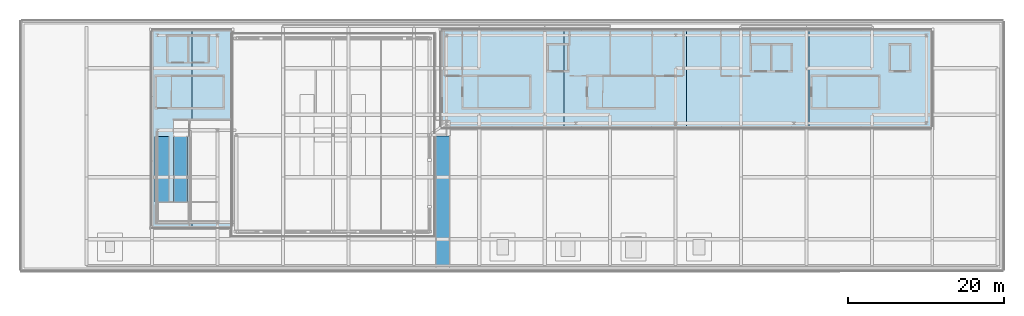
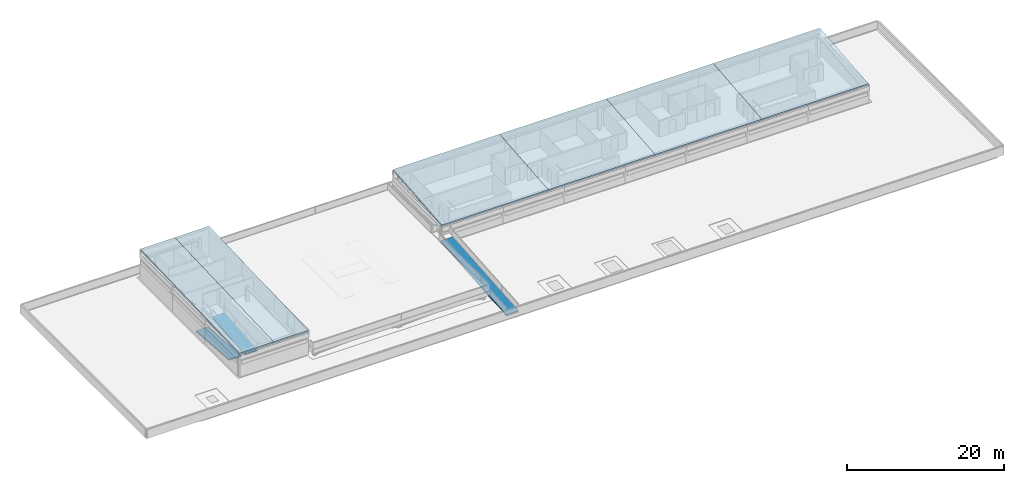
# One storey, part 11 of 14: 6 roofs, 3 ramp flights, 3 elements without a shape of their own.
"""IFC4 building model written with IfcOpenShell, lengths in metres."""

from ifc_helpers import new_model, si_unit, direction, frame, origin, place, context, subcontext, project, spatial, polyline, outline, extrude, material, layer, layer_set, type_object, element, aggregate, save


model = new_model("IFC4")

# Units and contexts
model_context = context("Model", 3, precision=1e-05, world=origin(), true_north=direction((0.0, 1.0)))
body_context = subcontext(model_context, "Body", "Model", "MODEL_VIEW")
ifc_project = project(units=[si_unit("LENGTHUNIT", "METRE"), si_unit("AREAUNIT", "SQUARE_METRE"), si_unit("VOLUMEUNIT", "CUBIC_METRE"), si_unit("PLANEANGLEUNIT", "RADIAN"), si_unit("MASSUNIT", "GRAM", prefix="KILO")], contexts=[model_context])

# Site, building, storey
site_placement = place(None, origin())
site = spatial("IfcSite", under=ifc_project, at=site_placement, CompositionType="ELEMENT")
building_placement = place(site_placement, origin())
building = spatial("IfcBuilding", under=site, at=building_placement, Name="Selatvlak General Hospital", CompositionType="ELEMENT")
storey_placement = place(building_placement, frame((0.0, 0.0, 39.449951171875)))
storey = spatial("IfcBuildingStorey", under=building, at=storey_placement, Name="RF", CompositionType="ELEMENT", Elevation=39.449951171875)

# Ramp, ramp flight
ifc_material_1 = material(Name="Concrete C40/50", Category="concrete")
ramp_type = type_object("IfcRampType", Name="RAMP-ACC", PredefinedType="STRAIGHT_RUN_RAMP", material=ifc_material_1)
ramp_1_placement = place(storey_placement, origin())
ramp_1 = element("IfcRamp", 1, at=ramp_1_placement, inside=storey, type_object=ramp_type, Name="Accessible step-free ramp RMP-HLP-W1", PredefinedType="STRAIGHT_RUN_RAMP")
ifc_layer_1 = layer(ifc_material_1, 0.219970703125, Name="Concrete C40/50", Category="concrete")
ifc_layer_set_1 = layer_set([ifc_layer_1], Name="Concrete C40/50")
ramp_flight_type = type_object("IfcRampFlightType", Name="RFL-ACC", PredefinedType="STRAIGHT", material=ifc_layer_set_1)
ramp_flight_1_placement = place(storey_placement, frame((49.300048828125, 105.199951171875, 0.050048828125), z_axis=(0.0, 0.0, 1.0), x_axis=(0.0, -1.0, 0.0)))
ramp_flight_1 = element("IfcRampFlight", 2, at=ramp_flight_1_placement, type_object=ramp_flight_type, Name="Accessible step-free ramp flight RMP-HLP-W1", PredefinedType="STRAIGHT", context=body_context, shape_type="SweptSolid", body=[
    extrude(outline(polyline([(0.0, -0.219970703125), (8.39990234375, 0.429931640625), (8.39990234375, 0.64990234375), (0.0, 0.0), (0.0, -0.219970703125)])), frame((0.0, 0.89990234375, 0.0), z_axis=(0.0, -1.0, 0.0), x_axis=(1.0, 0.0, 0.0)), (0.0, 0.0, 1.0), 1.800048828125),
])
aggregate(ramp_1, [ramp_flight_1])

ramp_2_placement = place(storey_placement, origin())
ramp_2 = element("IfcRamp", 3, at=ramp_2_placement, inside=storey, type_object=ramp_type, Name="Accessible step-free ramp RMP-HLP-W2", PredefinedType="STRAIGHT_RUN_RAMP")
ramp_flight_2_placement = place(storey_placement, frame((51.64990234375, 96.800048828125, 0.699951171875), z_axis=(0.0, 0.0, 1.0), x_axis=(0.0, 1.0, 0.0)))
ramp_flight_2 = element("IfcRampFlight", 4, at=ramp_flight_2_placement, type_object=ramp_flight_type, Name="Accessible step-free ramp flight RMP-HLP-W2", PredefinedType="STRAIGHT", context=body_context, shape_type="SweptSolid", body=[
    extrude(outline(polyline([(0.0, -0.219970703125), (8.39990234375, 0.47998046875), (8.39990234375, 0.699951171875), (0.0, 0.0), (0.0, -0.219970703125)])), frame((0.0, 0.89990234375, 0.0), z_axis=(0.0, -1.0, 0.0), x_axis=(1.0, 0.0, 0.0)), (0.0, 0.0, 1.0), 1.800048828125),
])
aggregate(ramp_2, [ramp_flight_2])

ramp_3_placement = place(storey_placement, origin())
ramp_3 = element("IfcRamp", 5, at=ramp_3_placement, inside=storey, type_object=ramp_type, Name="Accessible step-free ramp RMP-HLP-E1", PredefinedType="STRAIGHT_RUN_RAMP")
ramp_flight_3_placement = place(storey_placement, frame((85.300048828125, 88.5, 0.050048828125), z_axis=(0.0, 0.0, 1.0), x_axis=(0.0, 1.0, 0.0)))
ramp_flight_3 = element("IfcRampFlight", 6, at=ramp_flight_3_placement, type_object=ramp_flight_type, Name="Accessible step-free ramp flight RMP-HLP-E1", PredefinedType="STRAIGHT", context=body_context, shape_type="SweptSolid", body=[
    extrude(outline(polyline([(0.0, -0.219970703125), (16.800048828125, 1.130126953125), (16.800048828125, 1.35009765625), (0.0, 0.0), (0.0, -0.219970703125)])), frame((0.0, 0.89990234375, 0.0), z_axis=(0.0, -1.0, 0.0), x_axis=(1.0, 0.0, 0.0)), (0.0, 0.0, 1.0), 1.800048828125),
])
aggregate(ramp_3, [ramp_flight_3])

# Roofs
ifc_material_2 = material(Name="Precast concrete C40/50 - white fair-faced", Category="concrete")
ifc_layer_2 = layer(ifc_material_2, 0.25, Name="Precast concrete C40/50 - white fair-faced", Category="concrete")
ifc_layer_set_2 = layer_set([ifc_layer_2], Name="Precast concrete C40/50 - white fair-faced")
roof_type = type_object("IfcRoofType", Name="ROOF-SHED1", PredefinedType="SHED_ROOF", material=ifc_layer_set_2)
roof_1_placement = place(storey_placement, frame((48.050048828125, 93.60009765625, 3.699951171875), z_axis=(0.0, -0.037679460189, 0.999289877003), x_axis=(1.0, 0.0, 0.0)))
element("IfcRoof", 7, at=roof_1_placement, inside=storey, type_object=roof_type, Name="RF penthouse sloped roof deck 01", PredefinedType="SHED_ROOF", context=body_context, shape_type="SweptSolid", body=[
    extrude(outline(polyline([(0.0, 0.0), (5.070068359375, 0.0), (5.070068359375, 25.21785895346354), (0.0, 25.21785895346354), (0.0, 0.0)])), origin(), (0.0, 0.0, -1.0), 0.25),
])
roof_2_placement = place(storey_placement, frame((53.1201171875, 93.60009765625, 3.699951171875), z_axis=(0.0, -0.037679460189, 0.999289877003), x_axis=(1.0, 0.0, 0.0)))
element("IfcRoof", 8, at=roof_2_placement, inside=storey, type_object=roof_type, Name="RF penthouse sloped roof deck 02", PredefinedType="SHED_ROOF", context=body_context, shape_type="SweptSolid", body=[
    extrude(outline(polyline([(0.0, 0.0), (5.06982421875, 0.0), (5.06982421875, 25.217858953463537), (0.0, 25.217858953463537), (0.0, 0.0)])), origin(), (0.0, 0.0, -1.0), 0.25),
])
roof_3_placement = place(storey_placement, frame((85.199951171875, 106.39990234375, 2.85009765625), z_axis=(0.0, -0.092336793749, 0.995727832553), x_axis=(1.0, 0.0, 0.0)))
element("IfcRoof", 9, at=roof_3_placement, inside=storey, type_object=roof_type, Name="RF penthouse sloped roof deck 03", PredefinedType="SHED_ROOF", context=body_context, shape_type="SweptSolid", body=[
    extrude(outline(polyline([(0.0, 0.0), (15.699951171875, 0.0), (15.699951171875, 12.45334927776939), (0.0, 12.45334927776939), (0.0, 0.0)])), origin(), (0.0, 0.0, -1.0), 0.25),
])
roof_4_placement = place(storey_placement, frame((100.89990234375, 106.39990234375, 2.85009765625), z_axis=(0.0, -0.092336793749, 0.995727832553), x_axis=(1.0, 0.0, 0.0)))
element("IfcRoof", 10, at=roof_4_placement, inside=storey, type_object=roof_type, Name="RF penthouse sloped roof deck 04", PredefinedType="SHED_ROOF", context=body_context, shape_type="SweptSolid", body=[
    extrude(outline(polyline([(0.0, 0.0), (15.7001953125, 0.0), (15.7001953125, 12.453349277769389), (0.0, 12.453349277769389), (0.0, 0.0)])), origin(), (0.0, 0.0, -1.0), 0.25),
])
for number, where, z_axis, x_axis, name in (
    (11, (116.60009765625, 106.39990234375, 2.85009765625), (0.0, -0.092336793749, 0.995727832553), (1.0, 0.0, 0.0), "RF penthouse sloped roof deck 05"),
    (12, (132.300048828125, 106.39990234375, 2.85009765625), (0.0, -0.092336793749, 0.995727832553), (1.0, 0.0, 0.0), "RF penthouse sloped roof deck 06"),
):
    element("IfcRoof", number, at=place(storey_placement, frame(where, z_axis=z_axis, x_axis=x_axis)), inside=storey, type_object=roof_type, Name=name, PredefinedType="SHED_ROOF", context=body_context, shape_type="SweptSolid", body=[
        extrude(outline(polyline([(0.0, 0.0), (15.699951171875, 0.0), (15.699951171875, 12.45334927776939), (0.0, 12.45334927776939), (0.0, 0.0)])), origin(), (0.0, 0.0, -1.0), 0.25),
    ])

save(model, "model.ifc")
